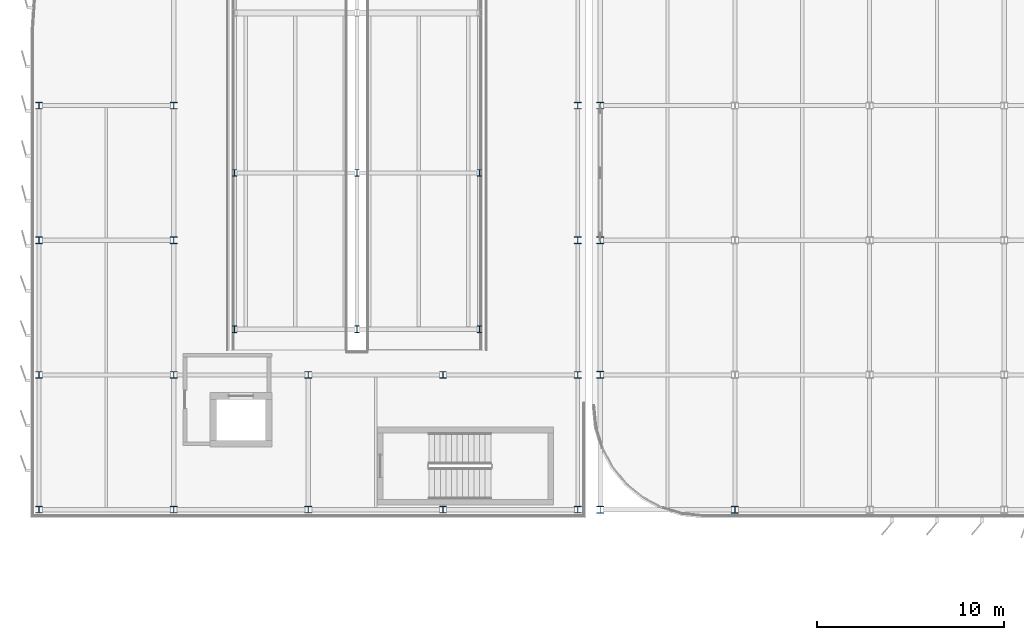
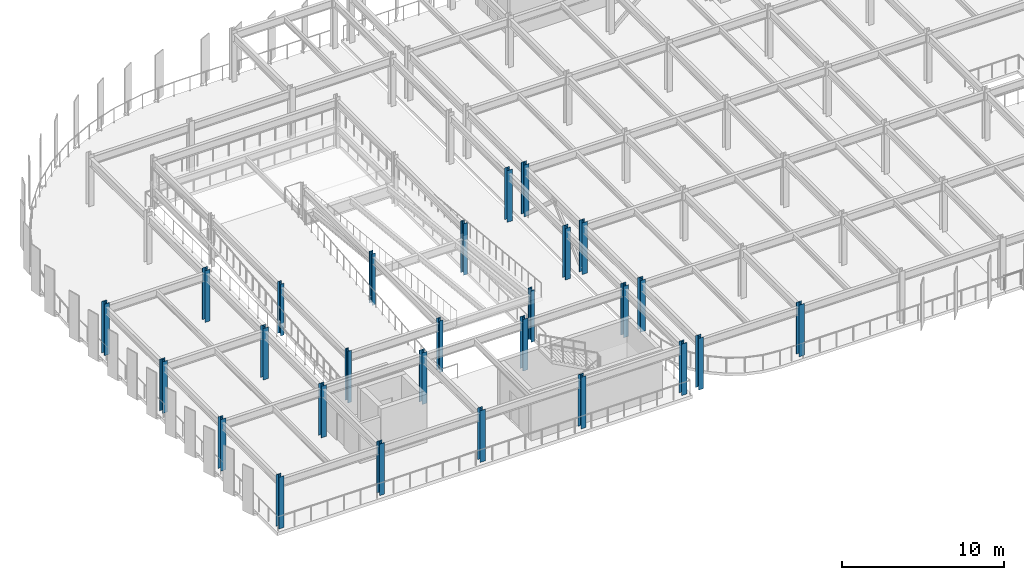
# One storey, part 1 of 52: 27 columns.
"""IFC4 building model written with IfcOpenShell, lengths in metres."""

from ifc_helpers import new_model, si_unit, direction, frame, origin, origin_2d, place, context, subcontext, project, spatial, i_section, extrude, material, material_profile, profile_set, type_object, element, save


model = new_model("IFC4")

# Units and contexts
model_context = context("Model", 3, precision=1e-05, world=origin(), true_north=direction((0.0, 1.0)))
body_context = subcontext(model_context, "Body", "Model", "MODEL_VIEW")
ifc_project = project(units=[si_unit("LENGTHUNIT", "METRE"), si_unit("AREAUNIT", "SQUARE_METRE"), si_unit("VOLUMEUNIT", "CUBIC_METRE"), si_unit("PLANEANGLEUNIT", "RADIAN"), si_unit("MASSUNIT", "GRAM", prefix="KILO")], contexts=[model_context])

# Site, building, storey
site_placement = place(None, origin())
site = spatial("IfcSite", under=ifc_project, at=site_placement, CompositionType="ELEMENT")
building_placement = place(site_placement, origin())
building = spatial("IfcBuilding", under=site, at=building_placement, Name="Vaelcorin Mobility Hub", CompositionType="ELEMENT")
storey_placement = place(building_placement, frame((0.0, 0.0, 13.199951171875)))
storey = spatial("IfcBuildingStorey", under=building, at=storey_placement, Name="L03", CompositionType="ELEMENT", Elevation=13.199951171875)

# Columns
ifc_material = material(Name="Steel ASTM A992 Grade 50", Category="steel")
ifc_material_profile_1 = material_profile(ifc_material, i_section(OverallWidth=0.37109375, OverallDepth=0.363037109375, WebThickness=0.01318359375, FlangeThickness=0.021728515625, FilletRadius=0.014892578125, at=origin_2d()), Name="W14X109")
ifc_profile_set_1 = profile_set([ifc_material_profile_1], Name="Steel ASTM A992 Grade 50")
column_type_1 = type_object("IfcColumnType", Name="COL-W14X109", PredefinedType="COLUMN", material=ifc_profile_set_1)
for number, where, z_axis, x_axis, name in (
    (1, (36.0, 76.800048828125, 0.0), (0.0, 0.0, 1.0), (1.0, 0.0, 0.0), "Column V4-X01Y01 L03"),
    (2, (36.0, 91.199951171875, 0.0), (0.0, 0.0, 1.0), (1.0, 0.0, 0.0), "Column V4-X01Y03 L03"),
    (3, (36.0, 98.39990234375, 0.0), (0.0, 0.0, 1.0), (1.0, 0.0, 0.0), "Column V4-X01Y04 L03"),
    (4, (43.199951171875, 76.800048828125, 0.0), (0.0, 0.0, 1.0), (1.0, 0.0, 0.0), "Column V4-X02Y01 L03"),
):
    element("IfcColumn", number, at=place(storey_placement, frame(where, z_axis=z_axis, x_axis=x_axis)), inside=storey, type_object=column_type_1, Name=name, PredefinedType="COLUMN", context=body_context, shape_type="SweptSolid", body=[
        extrude(i_section(OverallWidth=0.37109375, OverallDepth=0.363037109375, WebThickness=0.01318359375, FlangeThickness=0.021728515625, FilletRadius=0.014892578125, at=origin_2d()), origin(), (0.0, 0.0, 1.0), 3.900146484375),
    ])
ifc_material_profile_2 = material_profile(ifc_material, i_section(OverallWidth=0.373046875, OverallDepth=0.373046875, WebThickness=0.016357421875, FlangeThickness=0.026123046875, FilletRadius=0.014892578125, at=origin_2d()), Name="W14X132")
ifc_profile_set_2 = profile_set([ifc_material_profile_2], Name="Steel ASTM A992 Grade 50")
column_type_2 = type_object("IfcColumnType", Name="COL-W14X132", PredefinedType="COLUMN", material=ifc_profile_set_2)
column_placement = place(storey_placement, frame((36.0, 84.0, 0.0), z_axis=(0.0, 0.0, 1.0), x_axis=(1.0, 0.0, 0.0)))
element("IfcColumn", 5, at=column_placement, inside=storey, type_object=column_type_2, Name="Column V4-X01Y02 L03", PredefinedType="COLUMN", context=body_context, shape_type="SweptSolid", body=[
    extrude(i_section(OverallWidth=0.373046875, OverallDepth=0.373046875, WebThickness=0.016357421875, FlangeThickness=0.026123046875, FilletRadius=0.014892578125, at=origin_2d()), origin(), (0.0, 0.0, 1.0), 3.900146484375),
])
ifc_material_profile_3 = material_profile(ifc_material, i_section(OverallWidth=0.257080078125, OverallDepth=0.363037109375, WebThickness=0.012939453125, FlangeThickness=0.021728515625, FilletRadius=0.014892578125, at=origin_2d()), Name="W14X82")
ifc_profile_set_3 = profile_set([ifc_material_profile_3], Name="Steel ASTM A992 Grade 50")
column_type_3 = type_object("IfcColumnType", Name="COL-W14X82", PredefinedType="COLUMN", material=ifc_profile_set_3)
for number, where, z_axis, x_axis, name in (
    (6, (16.449951171875, 86.449951171875, 0.0), (0.0, 0.0, 1.0), (1.0, 0.0, 0.0), "Column V2W-RDRM-WS L03"),
    (7, (23.0, 86.449951171875, 0.0), (0.0, 0.0, 1.0), (1.0, 0.0, 0.0), "Column V2W-RDRM-MS L03"),
    (8, (29.550048828125, 86.449951171875, 0.0), (0.0, 0.0, 1.0), (1.0, 0.0, 0.0), "Column V2W-RDRM-ES L03"),
    (9, (16.449951171875, 94.800048828125, 0.0), (0.0, 0.0, 1.0), (1.0, 0.0, 0.0), "Column V2W-RDRM-WC L03"),
    (10, (23.0, 94.800048828125, 0.0), (0.0, 0.0, 1.0), (1.0, 0.0, 0.0), "Column V2W-RDRM-MC L03"),
    (11, (29.550048828125, 94.800048828125, 0.0), (0.0, 0.0, 1.0), (1.0, 0.0, 0.0), "Column V2W-RDRM-EC L03"),
):
    element("IfcColumn", number, at=place(storey_placement, frame(where, z_axis=z_axis, x_axis=x_axis)), inside=storey, type_object=column_type_3, Name=name, PredefinedType="COLUMN", context=body_context, shape_type="SweptSolid", body=[
        extrude(i_section(OverallWidth=0.257080078125, OverallDepth=0.363037109375, WebThickness=0.012939453125, FlangeThickness=0.021728515625, FilletRadius=0.014892578125, at=origin_2d()), origin(), (0.0, 0.0, 1.0), 3.900146484375),
    ])
ifc_material_profile_4 = material_profile(ifc_material, i_section(OverallWidth=0.367919921875, OverallDepth=0.35595703125, WebThickness=0.01123046875, FlangeThickness=0.01806640625, FilletRadius=0.014892578125, at=origin_2d()), Name="W14X90")
ifc_profile_set_4 = profile_set([ifc_material_profile_4], Name="Steel ASTM A992 Grade 50")
column_type_4 = type_object("IfcColumnType", Name="COL-W14X90", PredefinedType="COLUMN", material=ifc_profile_set_4)
for number, where, z_axis, x_axis, name in (
    (12, (6.0, 76.800048828125, 0.0), (0.0, 0.0, 1.0), (1.0, 0.0, 0.0), "Column V2W-G1x1 L03"),
    (13, (6.0, 84.0, 0.0), (0.0, 0.0, 1.0), (1.0, 0.0, 0.0), "Column V2W-G1x2 L03"),
    (14, (6.0, 91.199951171875, 0.0), (0.0, 0.0, 1.0), (1.0, 0.0, 0.0), "Column V2W-G1x3 L03"),
    (15, (6.0, 98.39990234375, 0.0), (0.0, 0.0, 1.0), (1.0, 0.0, 0.0), "Column V2W-G1x4 L03"),
    (16, (13.199951171875, 76.800048828125, 0.0), (0.0, 0.0, 1.0), (1.0, 0.0, 0.0), "Column V2W-G2x1 L03"),
    (17, (13.199951171875, 84.0, 0.0), (0.0, 0.0, 1.0), (1.0, 0.0, 0.0), "Column V2W-G2x2 L03"),
    (18, (13.199951171875, 91.199951171875, 0.0), (0.0, 0.0, 1.0), (1.0, 0.0, 0.0), "Column V2W-G2x3 L03"),
    (19, (13.199951171875, 98.39990234375, 0.0), (0.0, 0.0, 1.0), (1.0, 0.0, 0.0), "Column V2W-G2x4 L03"),
    (20, (20.39990234375, 76.800048828125, 0.0), (0.0, 0.0, 1.0), (1.0, 0.0, 0.0), "Column V2W-G3x1 L03"),
    (21, (20.39990234375, 84.0, 0.0), (0.0, 0.0, 1.0), (1.0, 0.0, 0.0), "Column V2W-G3x2 L03"),
    (22, (27.60009765625, 76.800048828125, 0.0), (0.0, 0.0, 1.0), (1.0, 0.0, 0.0), "Column V2W-G4x1 L03"),
    (23, (27.60009765625, 84.0, 0.0), (0.0, 0.0, 1.0), (1.0, 0.0, 0.0), "Column V2W-G4x2 L03"),
    (24, (34.800048828125, 76.800048828125, 0.0), (0.0, 0.0, 1.0), (1.0, 0.0, 0.0), "Column V2W-G5x1 L03"),
    (25, (34.800048828125, 84.0, 0.0), (0.0, 0.0, 1.0), (1.0, 0.0, 0.0), "Column V2W-G5x2 L03"),
    (26, (34.800048828125, 91.199951171875, 0.0), (0.0, 0.0, 1.0), (1.0, 0.0, 0.0), "Column V2W-G5x3 L03"),
    (27, (34.800048828125, 98.39990234375, 0.0), (0.0, 0.0, 1.0), (1.0, 0.0, 0.0), "Column V2W-G5x4 L03"),
):
    element("IfcColumn", number, at=place(storey_placement, frame(where, z_axis=z_axis, x_axis=x_axis)), inside=storey, type_object=column_type_4, Name=name, PredefinedType="COLUMN", context=body_context, shape_type="SweptSolid", body=[
        extrude(i_section(OverallWidth=0.367919921875, OverallDepth=0.35595703125, WebThickness=0.01123046875, FlangeThickness=0.01806640625, FilletRadius=0.014892578125, at=origin_2d()), origin(), (0.0, 0.0, 1.0), 3.900146484375),
    ])

save(model, "model.ifc")
